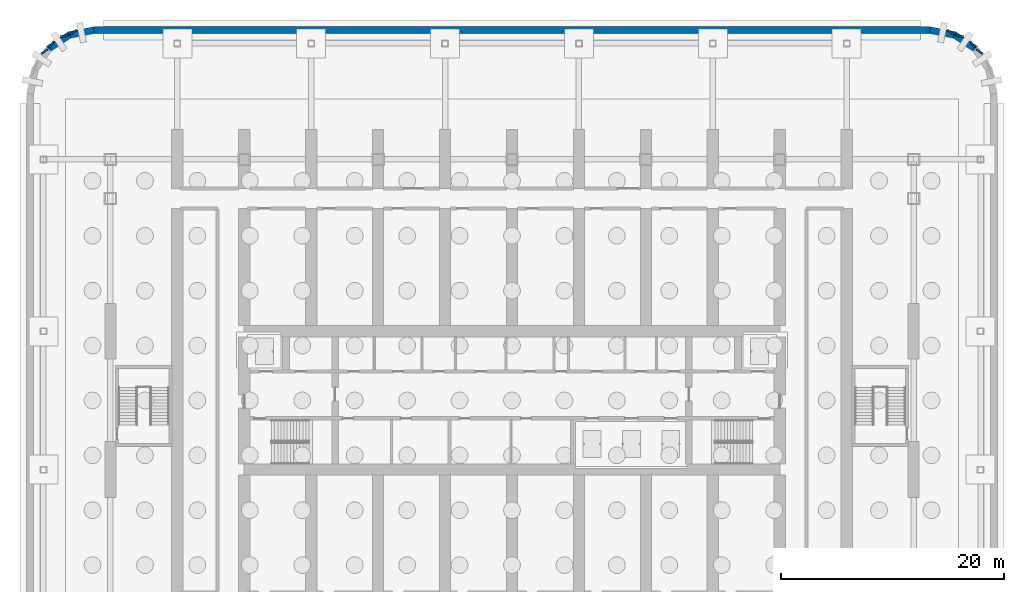
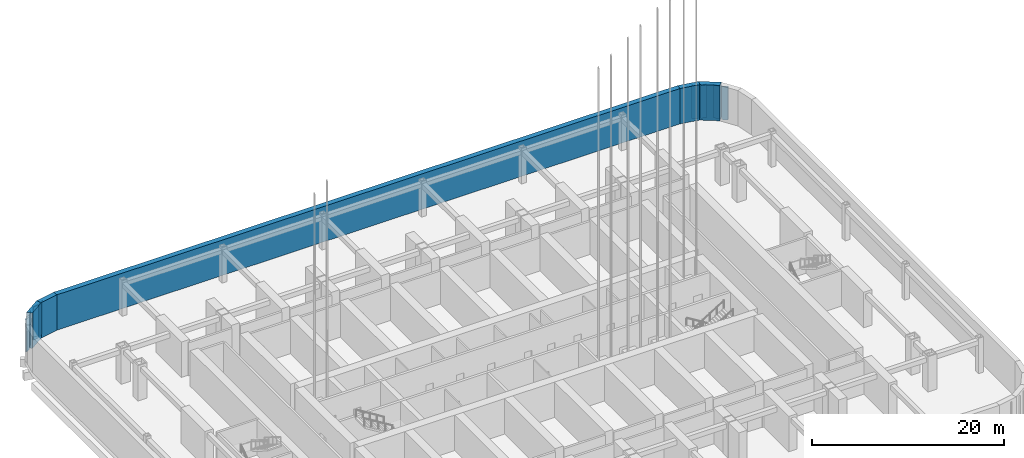
# One storey, part 8 of 28: 13 walls.
"""IFC4 building model written with IfcOpenShell, lengths in metres."""

from ifc_helpers import new_model, si_unit, direction, frame, frame_2d, origin, place, context, subcontext, project, spatial, polyline, rectangle, outline, extrude, material, layer, layer_set, type_object, element, save


model = new_model("IFC4")

# Units and contexts
model_context = context("Model", 3, precision=1e-05, world=origin(), true_north=direction((0.0, 1.0)))
body_context = subcontext(model_context, "Body", "Model", "MODEL_VIEW")
ifc_project = project(units=[si_unit("LENGTHUNIT", "METRE"), si_unit("AREAUNIT", "SQUARE_METRE"), si_unit("VOLUMEUNIT", "CUBIC_METRE"), si_unit("PLANEANGLEUNIT", "RADIAN"), si_unit("MASSUNIT", "GRAM", prefix="KILO")], contexts=[model_context])

# Site, building, storey
site_placement = place(None, origin())
site = spatial("IfcSite", under=ifc_project, at=site_placement, CompositionType="ELEMENT")
building_placement = place(site_placement, origin())
building = spatial("IfcBuilding", under=site, at=building_placement, Name="Orbita Commons", CompositionType="ELEMENT")
storey_placement = place(building_placement, frame((0.0, 0.0, -9.0)))
storey = spatial("IfcBuildingStorey", under=building, at=storey_placement, Name="L-02", CompositionType="ELEMENT", Elevation=-9.0)

# Walls
ifc_material_1 = material(Name="Gypsum plasterboard on steel studs", Category="steel")
ifc_layer_1 = layer(ifc_material_1, 0.14990234375)
ifc_layer_set_1 = layer_set([ifc_layer_1], Name="Gypsum plasterboard on steel studs")
wall_type_1 = type_object("IfcWallType", Name="Partition 150 plasterboard", PredefinedType="PARTITIONING", material=ifc_layer_set_1)
for number, where, z_axis, x_axis, name in (
    (1, (83.470703125, 63.609619140625, 0.0), (0.0, 0.0, 1.0), (-0.555660345797, 0.831409393806, 0.0), "Partition 150 plasterboard L-02"),
    (2, (83.609619140625, 63.470703125, 0.0), (0.0, 0.0, 1.0), (0.831409393806, -0.555660345797, 0.0), "Partition 150 plasterboard L-02"),
):
    element("IfcWall", number, at=place(storey_placement, frame(where, z_axis=z_axis, x_axis=x_axis)), inside=storey, type_object=wall_type_1, Name=name, PredefinedType="PARTITIONING", context=body_context, shape_type="SweptSolid", body=[
        extrude(rectangle(XDim=0.703857421875, YDim=0.14990234375, at=frame_2d((0.35205078125, 0.0))), origin(), (0.0, 0.0, 1.0), 4.199951171875),
    ])
wall_1_placement = place(storey_placement, frame((81.595947265625, 64.816162109375, 0.0), z_axis=(0.0, 0.0, 1.0), x_axis=(-0.831516441635, 0.555500141576, 0.0)))
element("IfcWall", 3, at=wall_1_placement, inside=storey, type_object=wall_type_1, Name="Partition 150 plasterboard L-02", PredefinedType="PARTITIONING", context=body_context, shape_type="SweptSolid", body=[
    extrude(rectangle(XDim=0.7041015625, YDim=0.14990234375, at=frame_2d((0.35205078125, 0.0))), origin(), (0.0, 0.0, 1.0), 4.199951171875),
])
for number, where, z_axis, x_axis, name in (
    (4, (81.777099609375, 64.7412109375, 0.0), (0.0, 0.0, 1.0), (0.980753692983, -0.195249055569, 0.0), "Partition 150 plasterboard L-02"),
    (5, (2.222900390625, 64.7412109375, 0.0), (0.0, 0.0, 1.0), (-0.980753692983, -0.195249055569, 0.0), "Partition 150 plasterboard L-02"),
):
    element("IfcWall", number, at=place(storey_placement, frame(where, z_axis=z_axis, x_axis=x_axis)), inside=storey, type_object=wall_type_1, Name=name, PredefinedType="PARTITIONING", context=body_context, shape_type="SweptSolid", body=[
        extrude(rectangle(XDim=0.703857421875, YDim=0.14990234375, at=frame_2d((0.35205078125, 0.0))), origin(), (0.0, 0.0, 1.0), 4.199951171875),
    ])
wall_2_placement = place(storey_placement, frame((2.404052734375, 64.816162109375, 0.0), z_axis=(0.0, 0.0, 1.0), x_axis=(0.831516441635, 0.555500141576, 0.0)))
element("IfcWall", 6, at=wall_2_placement, inside=storey, type_object=wall_type_1, Name="Partition 150 plasterboard L-02", PredefinedType="PARTITIONING", context=body_context, shape_type="SweptSolid", body=[
    extrude(rectangle(XDim=0.7041015625, YDim=0.14990234375, at=frame_2d((0.35205078125, 0.0))), origin(), (0.0, 0.0, 1.0), 4.199951171875),
])
for number, where, z_axis, x_axis, name in (
    (7, (0.390380859375, 63.470703125, 0.0), (0.0, 0.0, 1.0), (-0.831409393806, -0.555660345797, 0.0), "Partition 150 plasterboard L-02"),
    (8, (0.529296875, 63.609619140625, 0.0), (0.0, 0.0, 1.0), (0.555660345797, 0.831409393806, 0.0), "Partition 150 plasterboard L-02"),
):
    element("IfcWall", number, at=place(storey_placement, frame(where, z_axis=z_axis, x_axis=x_axis)), inside=storey, type_object=wall_type_1, Name=name, PredefinedType="PARTITIONING", context=body_context, shape_type="SweptSolid", body=[
        extrude(rectangle(XDim=0.703857421875, YDim=0.14990234375, at=frame_2d((0.35205078125, 0.0))), origin(), (0.0, 0.0, 1.0), 4.199951171875),
    ])
ifc_material_2 = material(Name="Concrete C50/60", Category="concrete")
ifc_layer_2 = layer(ifc_material_2, 0.60009765625)
ifc_layer_set_2 = layer_set([ifc_layer_2], Name="Concrete C50/60")
wall_type_2 = type_object("IfcWallType", Name="Retaining wall 600 C50/60", PredefinedType="SOLIDWALL", material=ifc_layer_set_2)
wall_3_placement = place(storey_placement, frame((83.5263671875, 63.5263671875, 0.0), z_axis=(0.0, 0.0, 1.0), x_axis=(-0.831475081676, 0.555562047437, 0.0)))
element("IfcWall", 9, at=wall_3_placement, inside=storey, type_object=wall_type_2, Name="Basement retaining wall L-02 8", PredefinedType="SOLIDWALL", context=body_context, shape_type="SweptSolid", body=[
    extrude(outline(polyline([(-0.0595703125, -0.300048828125), (2.281494140625, -0.300048828125), (2.162353515625, 0.300048828125), (0.0595703125, 0.300048828125), (-0.0595703125, -0.300048828125)])), origin(), (0.0, 0.0, 1.0), 4.5),
])
wall_4_placement = place(storey_placement, frame((81.678955078125, 64.7607421875, 0.0), z_axis=(0.0, 0.0, 1.0), x_axis=(-0.980792774628, 0.195052642224, 0.0)))
element("IfcWall", 10, at=wall_4_placement, inside=storey, type_object=wall_type_2, Name="Basement retaining wall L-02 9", PredefinedType="SOLIDWALL", context=body_context, shape_type="SweptSolid", body=[
    extrude(outline(polyline([(-0.0595703125, -0.300048828125), (2.28125, -0.300048828125), (2.22216796875, 0.300048828125), (0.0595703125, 0.300048828125), (-0.0595703125, -0.300048828125)])), origin(), (0.0, 0.0, 1.0), 4.5),
])
wall_5_placement = place(storey_placement, frame((79.470458984375, 65.199951171875, 0.0), z_axis=(0.0, 0.0, 1.0), x_axis=(-1.0, 0.0, 0.0)))
element("IfcWall", 11, at=wall_5_placement, inside=storey, type_object=wall_type_2, Name="Basement retaining wall L-02 10", PredefinedType="SOLIDWALL", context=body_context, shape_type="SweptSolid", body=[
    extrude(outline(polyline([(-0.029541015625, -0.300048828125), (74.970458984375, -0.300048828125), (74.911376953125, 0.300048828125), (0.029541015625, 0.300048828125), (-0.029541015625, -0.300048828125)])), origin(), (0.0, 0.0, 1.0), 4.5),
])
wall_6_placement = place(storey_placement, frame((4.529541015625, 65.199951171875, 0.0), z_axis=(0.0, 0.0, 1.0), x_axis=(-0.980792774628, -0.195052642224, 0.0)))
element("IfcWall", 12, at=wall_6_placement, inside=storey, type_object=wall_type_2, Name="Basement retaining wall L-02 11", PredefinedType="SOLIDWALL", context=body_context, shape_type="SweptSolid", body=[
    extrude(outline(polyline([(-0.029541015625, -0.300048828125), (2.311279296875, -0.300048828125), (2.192138671875, 0.300048828125), (0.029541015625, 0.300048828125), (-0.029541015625, -0.300048828125)])), origin(), (0.0, 0.0, 1.0), 4.5),
])
wall_7_placement = place(storey_placement, frame((2.321044921875, 64.7607421875, 0.0), z_axis=(0.0, 0.0, 1.0), x_axis=(-0.831475081676, -0.555562047437, 0.0)))
element("IfcWall", 13, at=wall_7_placement, inside=storey, type_object=wall_type_2, Name="Basement retaining wall L-02 12", PredefinedType="SOLIDWALL", context=body_context, shape_type="SweptSolid", body=[
    extrude(outline(polyline([(-0.0595703125, -0.300048828125), (2.281494140625, -0.300048828125), (2.162353515625, 0.300048828125), (0.0595703125, 0.300048828125), (-0.0595703125, -0.300048828125)])), origin(), (0.0, 0.0, 1.0), 4.5),
])

save(model, "model.ifc")
